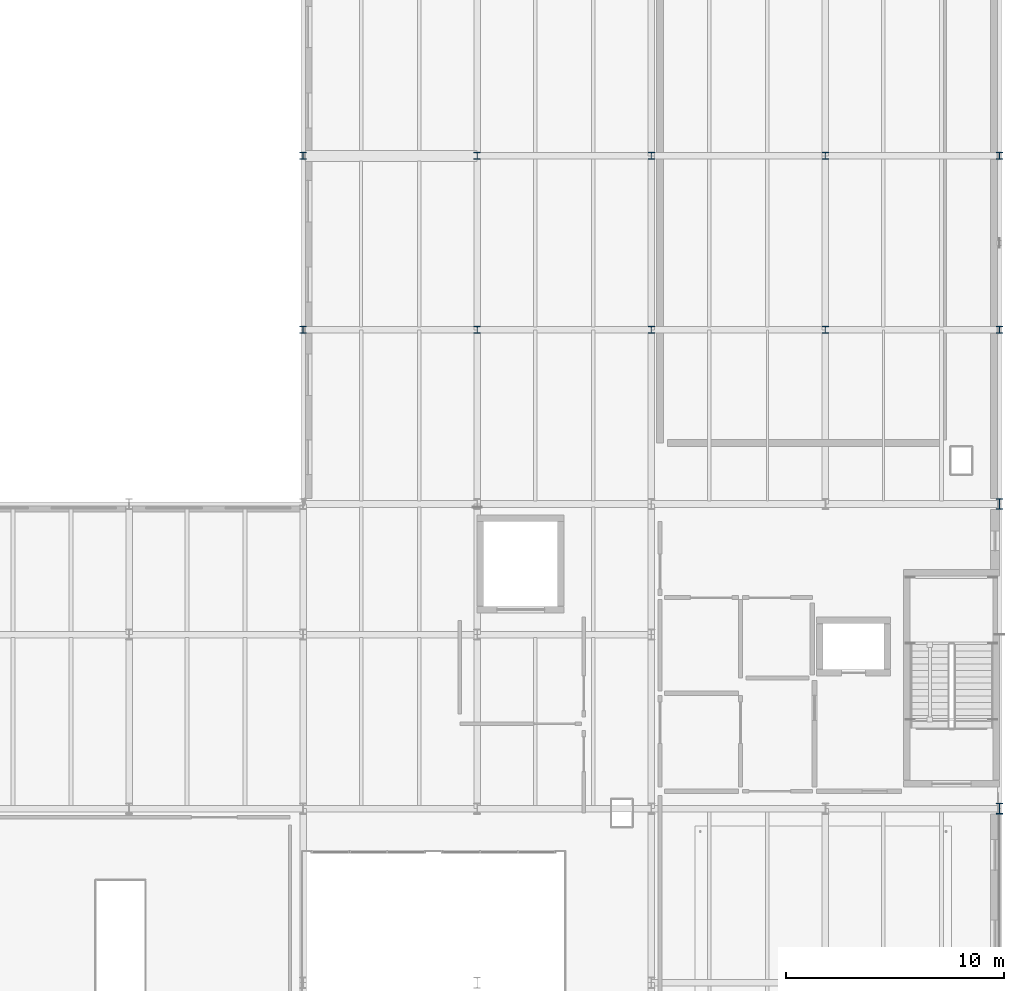
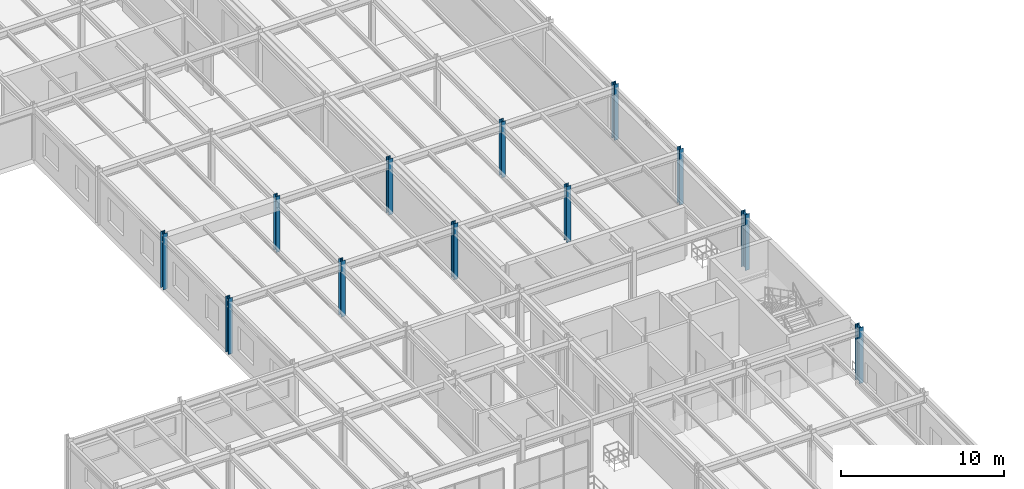
# One storey, part 16 of 122: 12 columns.
"""IFC4 building model written with IfcOpenShell, lengths in metres."""

from ifc_helpers import new_model, si_unit, direction, frame, origin, origin_2d, place, context, subcontext, project, spatial, i_section, extrude, material, material_profile, profile_set, type_object, element, save


model = new_model("IFC4")

# Units and contexts
model_context = context("Model", 3, precision=1e-05, world=origin(), true_north=direction((0.0, 1.0)))
body_context = subcontext(model_context, "Body", "Model", "MODEL_VIEW")
ifc_project = project(units=[si_unit("LENGTHUNIT", "METRE"), si_unit("AREAUNIT", "SQUARE_METRE"), si_unit("VOLUMEUNIT", "CUBIC_METRE"), si_unit("PLANEANGLEUNIT", "RADIAN"), si_unit("MASSUNIT", "GRAM", prefix="KILO")], contexts=[model_context])

# Site, building, storey
site_placement = place(None, origin())
site = spatial("IfcSite", under=ifc_project, at=site_placement, CompositionType="ELEMENT")
building_placement = place(site_placement, origin())
building = spatial("IfcBuilding", under=site, at=building_placement, Name="Sundkrona Museum", CompositionType="ELEMENT")
storey_placement = place(building_placement, frame((0.0, 0.0, 5.39990234375)))
storey = spatial("IfcBuildingStorey", under=building, at=storey_placement, Name="L01", CompositionType="ELEMENT", Elevation=5.39990234375)

# Columns
ifc_material = material(Name="Steel S355J2", Category="steel")
ifc_material_profile_1 = material_profile(ifc_material, i_section(OverallWidth=0.300048828125, OverallDepth=0.320068359375, WebThickness=0.011474609375, FlangeThickness=0.0205078125, FilletRadius=0.027099609375, at=origin_2d()), Name="HEB 320")
ifc_profile_set_1 = profile_set([ifc_material_profile_1], Name="Steel S355J2")
column_type_1 = type_object("IfcColumnType", Name="C-HEB320", PredefinedType="COLUMN", material=ifc_profile_set_1)
for number, where, z_axis, x_axis, name in (
    (1, (136.0, 54.0, 0.0), (0.0, 0.0, 1.0), (1.0, 0.0, 0.0), "L01 Column H/18"),
    (2, (136.0, 62.0, 0.0), (0.0, 0.0, 1.0), (1.0, 0.0, 0.0), "L01 Column J/18"),
    (3, (144.0, 54.0, 0.0), (0.0, 0.0, 1.0), (1.0, 0.0, 0.0), "L01 Column H/19"),
    (4, (144.0, 62.0, 0.0), (0.0, 0.0, 1.0), (1.0, 0.0, 0.0), "L01 Column J/19"),
    (5, (152.0, 54.0, 0.0), (0.0, 0.0, 1.0), (1.0, 0.0, 0.0), "L01 Column H/20"),
    (6, (152.0, 62.0, 0.0), (0.0, 0.0, 1.0), (1.0, 0.0, 0.0), "L01 Column J/20"),
    (7, (160.0, 54.0, 0.0), (0.0, 0.0, 1.0), (1.0, 0.0, 0.0), "L01 Column H/21"),
    (8, (160.0, 62.0, 0.0), (0.0, 0.0, 1.0), (1.0, 0.0, 0.0), "L01 Column J/21"),
    (9, (168.0, 54.0, 0.0), (0.0, 0.0, 1.0), (1.0, 0.0, 0.0), "L01 Column H/22"),
    (10, (168.0, 62.0, 0.0), (0.0, 0.0, 1.0), (1.0, 0.0, 0.0), "L01 Column J/22"),
):
    element("IfcColumn", number, at=place(storey_placement, frame(where, z_axis=z_axis, x_axis=x_axis)), inside=storey, type_object=column_type_1, Name=name, PredefinedType="COLUMN", context=body_context, shape_type="SweptSolid", body=[
        extrude(i_section(OverallWidth=0.300048828125, OverallDepth=0.320068359375, WebThickness=0.011474609375, FlangeThickness=0.0205078125, FilletRadius=0.027099609375, at=origin_2d()), origin(), (0.0, 0.0, 1.0), 4.2001953125),
    ])
ifc_material_profile_2 = material_profile(ifc_material, i_section(OverallWidth=0.300048828125, OverallDepth=0.5, WebThickness=0.014404296875, FlangeThickness=0.028076171875, FilletRadius=0.027099609375, at=origin_2d()), Name="HEB 500")
ifc_profile_set_2 = profile_set([ifc_material_profile_2], Name="Steel S355J2")
column_type_2 = type_object("IfcColumnType", Name="C-HEB500", PredefinedType="COLUMN", material=ifc_profile_set_2)
for number, where, z_axis, x_axis, name in (
    (11, (168.0, 32.0, 0.0), (0.0, 0.0, 1.0), (1.0, 0.0, 0.0), "L01 Column E/22"),
    (12, (168.0, 46.0, 0.0), (0.0, 0.0, 1.0), (1.0, 0.0, 0.0), "L01 Column G/22"),
):
    element("IfcColumn", number, at=place(storey_placement, frame(where, z_axis=z_axis, x_axis=x_axis)), inside=storey, type_object=column_type_2, Name=name, PredefinedType="COLUMN", context=body_context, shape_type="SweptSolid", body=[
        extrude(i_section(OverallWidth=0.300048828125, OverallDepth=0.5, WebThickness=0.014404296875, FlangeThickness=0.028076171875, FilletRadius=0.027099609375, at=origin_2d()), origin(), (0.0, 0.0, 1.0), 4.2001953125),
    ])

save(model, "model.ifc")
